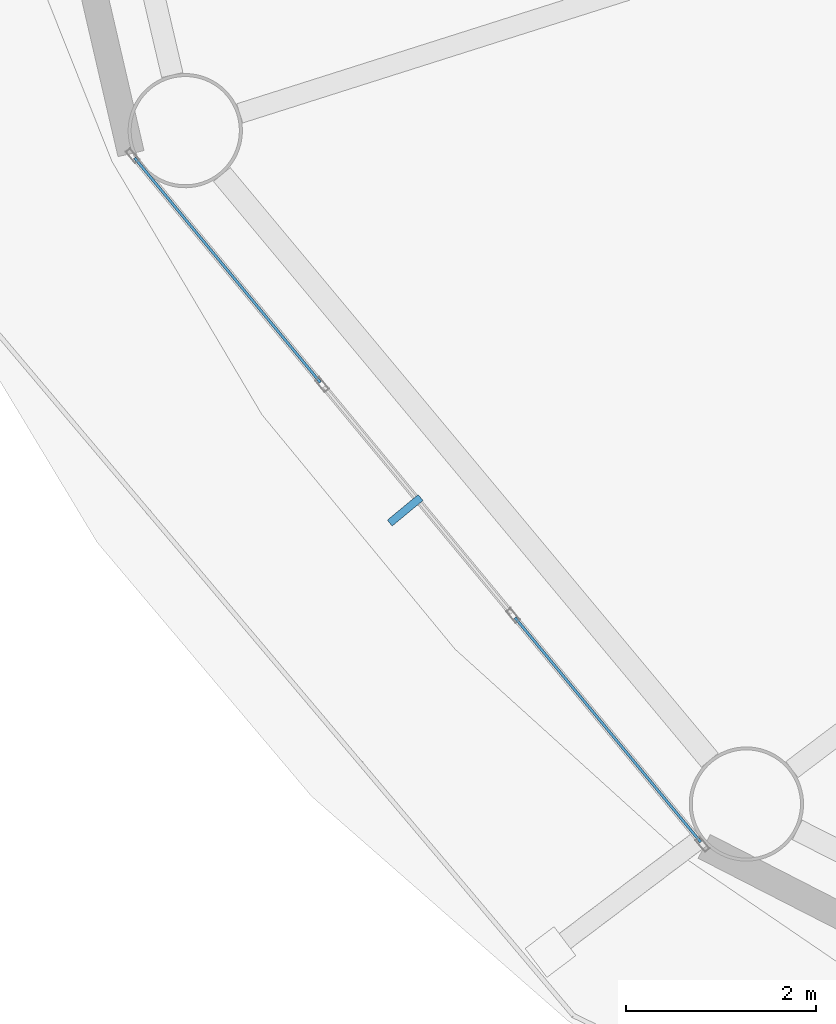
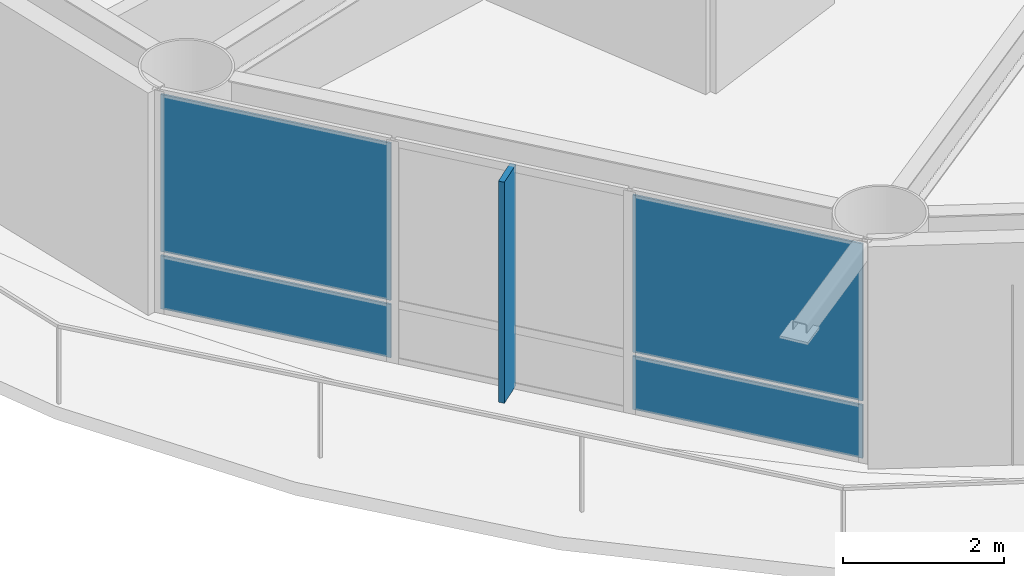
# One storey, part 14 of 24: 5 plates, 1 element without a shape of its own.
"""IFC4 building model written with IfcOpenShell, lengths in metres."""

from ifc_helpers import new_model, si_unit, direction, frame, origin, origin_2d, place, context, subcontext, project, spatial, rectangle, extrude, material, layer, layer_set, type_object, element, aggregate, save


model = new_model("IFC4")

# Units and contexts
model_context = context("Model", 3, precision=1e-05, world=origin(), true_north=direction((0.0, 1.0)))
body_context = subcontext(model_context, "Body", "Model", "MODEL_VIEW")
ifc_project = project(units=[si_unit("LENGTHUNIT", "METRE"), si_unit("AREAUNIT", "SQUARE_METRE"), si_unit("VOLUMEUNIT", "CUBIC_METRE"), si_unit("PLANEANGLEUNIT", "RADIAN"), si_unit("MASSUNIT", "GRAM", prefix="KILO")], contexts=[model_context])

# Site, building, storey
site_placement = place(None, origin())
site = spatial("IfcSite", under=ifc_project, at=site_placement, CompositionType="ELEMENT")
building_placement = place(site_placement, origin())
building = spatial("IfcBuilding", under=site, at=building_placement, Name="Sarneth Arch Tower", CompositionType="ELEMENT")
storey_placement = place(building_placement, frame((0.0, 0.0, 112.800048828125)))
storey = spatial("IfcBuildingStorey", under=building, at=storey_placement, Name="L28", CompositionType="ELEMENT", Elevation=112.800048828125)

# Curtain wall, plates
ifc_material_1 = material(Name="Anodised aluminium Type AA25 and solar-control low-e laminated IGU", Category="aluminium")
ifc_layer_1 = layer(ifc_material_1, 0.159912109375)
ifc_layer_set_1 = layer_set([ifc_layer_1], Name="Anodised aluminium Type AA25 and solar-control low-e laminated IGU")
curtain_wall_type = type_object("IfcCurtainWallType", Name="CW-HOTEL-MID", PredefinedType="NOTDEFINED", material=ifc_layer_set_1)
curtain_wall_placement = place(storey_placement, origin())
curtain_wall = element("IfcCurtainWall", 1, at=curtain_wall_placement, inside=storey, type_object=curtain_wall_type, Name="L28 Unitised curtain wall facet 10", PredefinedType="NOTDEFINED")
ifc_material_2 = material(Name="Solar-control low-e laminated IGU", Category="glass")
ifc_layer_2 = layer(ifc_material_2, 0.028076171875)
ifc_layer_set_2 = layer_set([ifc_layer_2], Name="Solar-control low-e laminated IGU")
plate_type_1 = type_object("IfcPlateType", Name="CW-PANEL", PredefinedType="CURTAIN_PANEL", material=ifc_layer_set_2)
plate_1_placement = place(storey_placement, frame((22.15185546875, 32.192138671875, 0.059814453125), z_axis=(0.0, 0.0, 1.0), x_axis=(0.637515188684, -0.770437787363, 0.0)))
plate_1 = element("IfcPlate", 2, at=plate_1_placement, type_object=plate_type_1, Name="Curtain wall glazed vision pane CW-L28-F10/P00-00", PredefinedType="CURTAIN_PANEL", context=body_context, shape_type="SweptSolid", body=[
    extrude(rectangle(XDim=3.058349609375, YDim=0.028076171875, at=origin_2d()), origin(), (0.0, 0.0, 1.0), 0.81005859375),
])
plate_2_placement = place(storey_placement, frame((22.15185546875, 32.192138671875, 0.93017578125), z_axis=(0.0, 0.0, 1.0), x_axis=(0.637515188684, -0.770437787363, 0.0)))
plate_2 = element("IfcPlate", 3, at=plate_2_placement, type_object=plate_type_1, Name="Curtain wall glazed vision pane CW-L28-F10/P00-01", PredefinedType="CURTAIN_PANEL", context=body_context, shape_type="SweptSolid", body=[
    extrude(rectangle(XDim=3.058349609375, YDim=0.028076171875, at=origin_2d()), origin(), (0.0, 0.0, 1.0), 2.389892578125),
])
plate_3_placement = place(storey_placement, frame((26.14697265625, 27.364013671875, 0.059814453125), z_axis=(0.0, 0.0, 1.0), x_axis=(0.637515188684, -0.770437787363, 0.0)))
plate_3 = element("IfcPlate", 4, at=plate_3_placement, type_object=plate_type_1, Name="Curtain wall glazed vision pane CW-L28-F10/P02-00", PredefinedType="CURTAIN_PANEL", context=body_context, shape_type="SweptSolid", body=[
    extrude(rectangle(XDim=3.058349609375, YDim=0.028076171875, at=origin_2d()), origin(), (0.0, 0.0, 1.0), 0.81005859375),
])
plate_4_placement = place(storey_placement, frame((26.14697265625, 27.364013671875, 0.93017578125), z_axis=(0.0, 0.0, 1.0), x_axis=(0.637515188684, -0.770437787363, 0.0)))
plate_4 = element("IfcPlate", 5, at=plate_4_placement, type_object=plate_type_1, Name="Curtain wall glazed vision pane CW-L28-F10/P02-01", PredefinedType="CURTAIN_PANEL", context=body_context, shape_type="SweptSolid", body=[
    extrude(rectangle(XDim=3.058349609375, YDim=0.028076171875, at=origin_2d()), origin(), (0.0, 0.0, 1.0), 2.389892578125),
])
aggregate(curtain_wall, [plate_1, plate_2, plate_3, plate_4])

# Plate
ifc_material_3 = material(Name="Extruded glazed terracotta baguette fin on Aluminium 6063-T6 carrier", Category="masonry")
ifc_layer_3 = layer(ifc_material_3, 0.080078125)
ifc_layer_set_3 = layer_set([ifc_layer_3], Name="Extruded glazed terracotta baguette fin on Aluminium 6063-T6 carrier")
plate_type_2 = type_object("IfcPlateType", Name="SHADE-TERRA-FIN", PredefinedType="SHEET", material=ifc_layer_set_3)
plate_5_placement = place(storey_placement, frame((24.018310546875, 29.669677734375, 0.009765625), z_axis=(0.0, 0.0, 1.0), x_axis=(-0.770401979567, -0.63755845997, 0.0)))
element("IfcPlate", 6, at=plate_5_placement, inside=storey, type_object=plate_type_2, Name="L28 Terracotta vertical shading fin 10", PredefinedType="SHEET", context=body_context, shape_type="SweptSolid", body=[
    extrude(rectangle(XDim=0.419921875, YDim=0.080078125, at=origin_2d()), origin(), (0.0, 0.0, 1.0), 3.360107421875),
])

save(model, "model.ifc")
